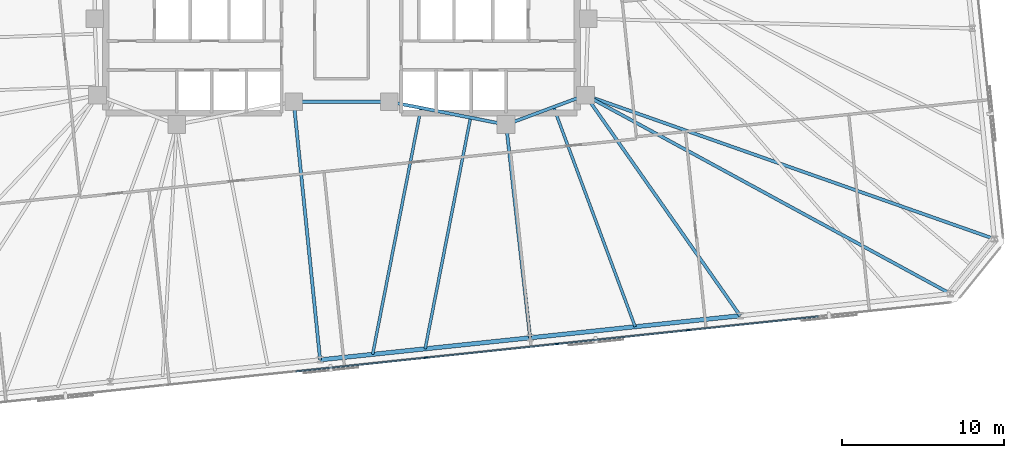
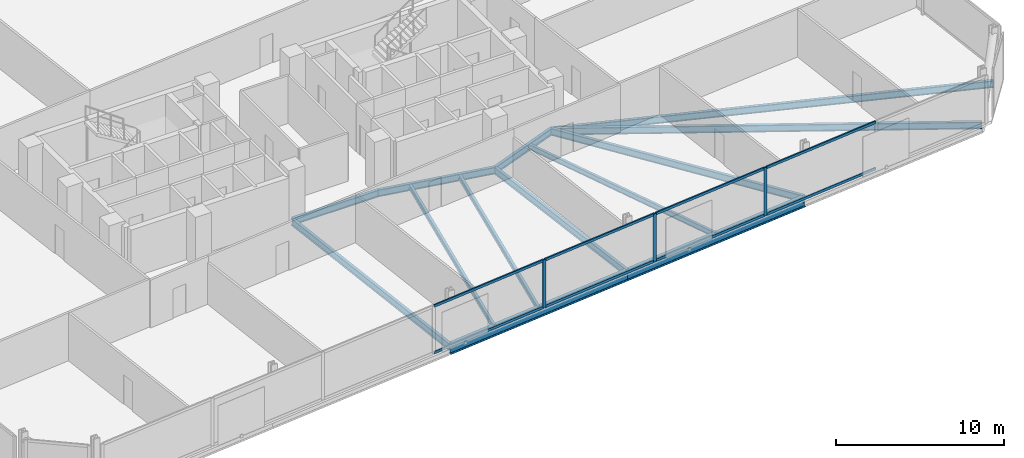
# One storey, part 7 of 18: 13 beams, 11 members, 1 element without a shape of its own.
"""IFC4 building model written with IfcOpenShell, lengths in metres."""

from ifc_helpers import new_model, si_unit, direction, frame, origin, origin_2d, place, context, subcontext, project, spatial, rectangle, i_section, extrude, material, material_profile, profile_set, type_object, element, aggregate, save


model = new_model("IFC4")

# Units and contexts
model_context = context("Model", 3, precision=1e-05, world=origin(), true_north=direction((0.0, 1.0)))
body_context = subcontext(model_context, "Body", "Model", "MODEL_VIEW")
ifc_project = project(units=[si_unit("LENGTHUNIT", "METRE"), si_unit("AREAUNIT", "SQUARE_METRE"), si_unit("VOLUMEUNIT", "CUBIC_METRE"), si_unit("PLANEANGLEUNIT", "RADIAN"), si_unit("MASSUNIT", "GRAM", prefix="KILO")], contexts=[model_context])

# Site, building, storey
site_placement = place(None, origin())
site = spatial("IfcSite", under=ifc_project, at=site_placement, CompositionType="ELEMENT")
building_placement = place(site_placement, origin())
building = spatial("IfcBuilding", under=site, at=building_placement, Name="Menara Jurai Vektor", CompositionType="ELEMENT")
storey_placement = place(building_placement, frame((0.0, 0.0, 124.39990234375)))
storey = spatial("IfcBuildingStorey", under=building, at=storey_placement, Name="L31", CompositionType="ELEMENT", Elevation=124.39990234375)

# Curtain wall, members
ifc_material_1 = material(Name="Anodised Pale Aluminium & Low-E Double Glazing", Category="aluminium")
curtain_wall_type = type_object("IfcCurtainWallType", Name="CW-BLK2", PredefinedType="NOTDEFINED", material=ifc_material_1)
curtain_wall_placement = place(storey_placement, origin())
curtain_wall = element("IfcCurtainWall", 1, at=curtain_wall_placement, inside=storey, type_object=curtain_wall_type, Name="Unitised Curtain Wall L31 F01", PredefinedType="NOTDEFINED")
ifc_material_2 = material(Name="Anodised Pale Aluminium Mullion", Category="aluminium")
ifc_material_profile_1 = material_profile(ifc_material_2, rectangle(XDim=0.090087890625, YDim=0.219970703125, at=origin_2d()), Name="ALU MUL 90x220")
ifc_profile_set_1 = profile_set([ifc_material_profile_1], Name="Anodised Pale Aluminium Mullion")
member_type_1 = type_object("IfcMemberType", Name="CW-BLK2-MUL", PredefinedType="MULLION", material=ifc_profile_set_1)
member_1_placement = place(storey_placement, frame((5.230224609375, -20.72265625, 0.0), z_axis=(0.0, 0.0, 1.0), x_axis=(-0.104528634935, 0.994521877325, 0.0)))
member_1 = element("IfcMember", 2, at=member_1_placement, type_object=member_type_1, Name="CW-02 mullion 5", PredefinedType="MULLION", context=body_context, shape_type="SweptSolid", body=[
    extrude(rectangle(XDim=0.090087890625, YDim=0.219970703125, at=origin_2d()), origin(), (0.0, 0.0, 1.0), 3.47509765625),
])
member_2_placement = place(storey_placement, frame((13.328125, -19.87158203125, 0.0), z_axis=(0.0, 0.0, 1.0), x_axis=(-0.104528634935, 0.994521877325, 0.0)))
member_2 = element("IfcMember", 3, at=member_2_placement, type_object=member_type_1, Name="CW-02 mullion 6", PredefinedType="MULLION", context=body_context, shape_type="SweptSolid", body=[
    extrude(rectangle(XDim=0.090087890625, YDim=0.219970703125, at=origin_2d()), origin(), (0.0, 0.0, 1.0), 3.47509765625),
])
member_3_placement = place(storey_placement, frame((21.426025390625, -19.020263671875, 0.0), z_axis=(0.0, 0.0, 1.0), x_axis=(-0.104528634935, 0.994521877325, 0.0)))
member_3 = element("IfcMember", 4, at=member_3_placement, type_object=member_type_1, Name="CW-02 mullion 7", PredefinedType="MULLION", context=body_context, shape_type="SweptSolid", body=[
    extrude(rectangle(XDim=0.090087890625, YDim=0.219970703125, at=origin_2d()), origin(), (0.0, 0.0, 1.0), 3.47509765625),
])
ifc_material_3 = material(Name="Anodised Pale Aluminium Transom", Category="aluminium")
ifc_material_profile_2 = material_profile(ifc_material_3, rectangle(XDim=0.090087890625, YDim=0.18505859375, at=origin_2d()), Name="ALU TRN 90x185")
ifc_profile_set_2 = profile_set([ifc_material_profile_2], Name="Anodised Pale Aluminium Transom")
member_type_2 = type_object("IfcMemberType", Name="CW-BLK2-TRN", PredefinedType="USERDEFINED", material=ifc_profile_set_2)
member_4_placement = place(storey_placement, frame((-2.82275390625, -21.569091796875, 0.045166015625), z_axis=(0.994520726373, 0.10453958492, 0.0), x_axis=(-0.10453958492, 0.994520726373, 0.0)))
member_4 = element("IfcMember", 5, at=member_4_placement, type_object=member_type_2, Name="CW-02 transom 4.1", ObjectType="TRANSOM", PredefinedType="USERDEFINED", context=body_context, shape_type="SweptSolid", body=[
    extrude(rectangle(XDim=0.090087890625, YDim=0.18505859375, at=origin_2d()), origin(), (0.0, 0.0, 1.0), 8.052490234375),
])
member_5_placement = place(storey_placement, frame((-2.82275390625, -21.569091796875, 3.43017578125), z_axis=(0.994520726373, 0.10453958492, 0.0), x_axis=(-0.10453958492, 0.994520726373, 0.0)))
member_5 = element("IfcMember", 6, at=member_5_placement, type_object=member_type_2, Name="CW-02 transom 4.2", ObjectType="TRANSOM", PredefinedType="USERDEFINED", context=body_context, shape_type="SweptSolid", body=[
    extrude(rectangle(XDim=0.090087890625, YDim=0.18505859375, at=origin_2d()), origin(), (0.0, 0.0, 1.0), 8.052490234375),
])
member_6_placement = place(storey_placement, frame((5.275146484375, -20.718017578125, 0.045166015625), z_axis=(0.994520726373, 0.10453958492, 0.0), x_axis=(-0.10453958492, 0.994520726373, 0.0)))
member_6 = element("IfcMember", 7, at=member_6_placement, type_object=member_type_2, Name="CW-02 transom 5.1", ObjectType="TRANSOM", PredefinedType="USERDEFINED", context=body_context, shape_type="SweptSolid", body=[
    extrude(rectangle(XDim=0.090087890625, YDim=0.18505859375, at=origin_2d()), origin(), (0.0, 0.0, 1.0), 8.052490234375),
])
member_7_placement = place(storey_placement, frame((5.275146484375, -20.718017578125, 3.43017578125), z_axis=(0.994520726373, 0.10453958492, 0.0), x_axis=(-0.10453958492, 0.994520726373, 0.0)))
member_7 = element("IfcMember", 8, at=member_7_placement, type_object=member_type_2, Name="CW-02 transom 5.2", ObjectType="TRANSOM", PredefinedType="USERDEFINED", context=body_context, shape_type="SweptSolid", body=[
    extrude(rectangle(XDim=0.090087890625, YDim=0.18505859375, at=origin_2d()), origin(), (0.0, 0.0, 1.0), 8.052490234375),
])
member_8_placement = place(storey_placement, frame((13.373046875, -19.86669921875, 0.045166015625), z_axis=(0.99452387809, 0.104509597213, 0.0), x_axis=(-0.104509597213, 0.99452387809, 0.0)))
member_8 = element("IfcMember", 9, at=member_8_placement, type_object=member_type_2, Name="CW-02 transom 6.1", ObjectType="TRANSOM", PredefinedType="USERDEFINED", context=body_context, shape_type="SweptSolid", body=[
    extrude(rectangle(XDim=0.090087890625, YDim=0.18505859375, at=origin_2d()), origin(), (0.0, 0.0, 1.0), 8.052490234375),
])
member_9_placement = place(storey_placement, frame((13.373046875, -19.86669921875, 3.43017578125), z_axis=(0.99452387809, 0.104509597213, 0.0), x_axis=(-0.104509597213, 0.99452387809, 0.0)))
member_9 = element("IfcMember", 10, at=member_9_placement, type_object=member_type_2, Name="CW-02 transom 6.2", ObjectType="TRANSOM", PredefinedType="USERDEFINED", context=body_context, shape_type="SweptSolid", body=[
    extrude(rectangle(XDim=0.090087890625, YDim=0.18505859375, at=origin_2d()), origin(), (0.0, 0.0, 1.0), 8.052490234375),
])
member_10_placement = place(storey_placement, frame((21.470947265625, -19.015625, 0.045166015625), z_axis=(0.994520726373, 0.10453958492, 0.0), x_axis=(-0.10453958492, 0.994520726373, 0.0)))
member_10 = element("IfcMember", 11, at=member_10_placement, type_object=member_type_2, Name="CW-02 transom 7.1", ObjectType="TRANSOM", PredefinedType="USERDEFINED", context=body_context, shape_type="SweptSolid", body=[
    extrude(rectangle(XDim=0.090087890625, YDim=0.18505859375, at=origin_2d()), origin(), (0.0, 0.0, 1.0), 8.052490234375),
])
member_11_placement = place(storey_placement, frame((21.470947265625, -19.015625, 3.43017578125), z_axis=(0.994520726373, 0.10453958492, 0.0), x_axis=(-0.10453958492, 0.994520726373, 0.0)))
member_11 = element("IfcMember", 12, at=member_11_placement, type_object=member_type_2, Name="CW-02 transom 7.2", ObjectType="TRANSOM", PredefinedType="USERDEFINED", context=body_context, shape_type="SweptSolid", body=[
    extrude(rectangle(XDim=0.090087890625, YDim=0.18505859375, at=origin_2d()), origin(), (0.0, 0.0, 1.0), 8.052490234375),
])
aggregate(curtain_wall, [member_1, member_2, member_3, member_4, member_5, member_6, member_7, member_8, member_9, member_10, member_11])

# Beams
ifc_material_4 = material(Name="Steel S355", Category="steel")
ifc_material_profile_3 = material_profile(ifc_material_4, i_section(OverallWidth=0.199951171875, OverallDepth=0.5, WebThickness=0.011962890625, FlangeThickness=0.02001953125, at=origin_2d()), Name="PG 500x200x96")
ifc_profile_set_3 = profile_set([ifc_material_profile_3], Name="Steel S355")
beam_type_1 = type_object("IfcBeamType", Name="STR-BM-500", PredefinedType="BEAM", material=ifc_profile_set_3)
beam_1_placement = place(storey_placement, frame((10.179931640625, -6.320068359375, -0.474853515625), z_axis=(0.937424400887, 0.348188874925, 0.0), x_axis=(-0.348188874925, 0.937424400887, 0.0)))
element("IfcBeam", 13, at=beam_1_placement, inside=storey, type_object=beam_type_1, Name="Core Ring Header Girder L31-CHE-S1", PredefinedType="BEAM", context=body_context, shape_type="SweptSolid", body=[
    extrude(i_section(OverallWidth=0.199951171875, OverallDepth=0.5, WebThickness=0.011962890625, FlangeThickness=0.02001953125, at=origin_2d()), origin(), (0.0, 0.0, 1.0), 5.227294921875),
])
beam_2_placement = place(storey_placement, frame((2.949951171875, -4.89990234375, -0.474853515625), z_axis=(0.981249044334, -0.192744164614, 0.0), x_axis=(0.192744164614, 0.981249044334, 0.0)))
element("IfcBeam", 14, at=beam_2_placement, inside=storey, type_object=beam_type_1, Name="Core Ring Header Girder L31-CHE-S2", PredefinedType="BEAM", context=body_context, shape_type="SweptSolid", body=[
    extrude(i_section(OverallWidth=0.199951171875, OverallDepth=0.5, WebThickness=0.011962890625, FlangeThickness=0.02001953125, at=origin_2d()), origin(), (0.0, 0.0, 1.0), 7.3681640625),
])
beam_3_placement = place(storey_placement, frame((-2.949951171875, -4.89990234375, -0.474853515625), z_axis=(1.0, 0.0, 0.0), x_axis=(0.0, 1.0, 0.0)))
element("IfcBeam", 15, at=beam_3_placement, inside=storey, type_object=beam_type_1, Name="Core Ring Header Girder L31-CC-1", PredefinedType="BEAM", context=body_context, shape_type="SweptSolid", body=[
    extrude(i_section(OverallWidth=0.199951171875, OverallDepth=0.5, WebThickness=0.011962890625, FlangeThickness=0.02001953125, at=origin_2d()), origin(), (0.0, 0.0, 1.0), 5.89990234375),
])
beam_4_placement = place(storey_placement, frame((-1.31689453125, -20.85791015625, -0.474853515625), z_axis=(-0.101802947506, 0.994804583765, 0.0), x_axis=(-0.994804583765, -0.101802947506, 0.0)))
element("IfcBeam", 16, at=beam_4_placement, inside=storey, type_object=beam_type_1, Name="Radial Floor Girder L31-S3", PredefinedType="BEAM", context=body_context, shape_type="SweptSolid", body=[
    extrude(i_section(OverallWidth=0.199951171875, OverallDepth=0.5, WebThickness=0.011962890625, FlangeThickness=0.02001953125, at=origin_2d()), origin(), (0.0, 0.0, 1.0), 16.041259765625),
])
beam_5_placement = place(storey_placement, frame((11.66259765625, -19.493408203125, -0.474853515625), z_axis=(-0.111844331087, 0.99372573963, 0.0), x_axis=(-0.99372573963, -0.111844331087, 0.0)))
element("IfcBeam", 17, at=beam_5_placement, inside=storey, type_object=beam_type_1, Name="Radial Floor Girder L31-S4", PredefinedType="BEAM", context=body_context, shape_type="SweptSolid", body=[
    extrude(i_section(OverallWidth=0.199951171875, OverallDepth=0.5, WebThickness=0.011962890625, FlangeThickness=0.02001953125, at=origin_2d()), origin(), (0.0, 0.0, 1.0), 13.256591796875),
])
beam_6_placement = place(storey_placement, frame((24.64208984375, -18.12939453125, -0.474853515625), z_axis=(-0.574326112611, 0.818626603754, 0.0), x_axis=(-0.818626603754, -0.574326112611, 0.0)))
element("IfcBeam", 18, at=beam_6_placement, inside=storey, type_object=beam_type_1, Name="Radial Floor Girder L31-S5", PredefinedType="BEAM", context=body_context, shape_type="SweptSolid", body=[
    extrude(i_section(OverallWidth=0.199951171875, OverallDepth=0.5, WebThickness=0.011962890625, FlangeThickness=0.02001953125, at=origin_2d()), origin(), (0.0, 0.0, 1.0), 16.649169921875),
])
beam_7_placement = place(storey_placement, frame((37.621826171875, -16.76513671875, -0.474853515625), z_axis=(-0.878392468416, 0.477940029115, 0.0), x_axis=(-0.477940029115, -0.878392468416, 0.0)))
element("IfcBeam", 19, at=beam_7_placement, inside=storey, type_object=beam_type_1, Name="Radial Floor Girder L31-S6", PredefinedType="BEAM", context=body_context, shape_type="SweptSolid", body=[
    extrude(i_section(OverallWidth=0.199951171875, OverallDepth=0.5, WebThickness=0.011962890625, FlangeThickness=0.02001953125, at=origin_2d()), origin(), (0.0, 0.0, 1.0), 25.66259765625),
])
beam_8_placement = place(storey_placement, frame((40.356201171875, -13.388671875, -0.474853515625), z_axis=(-0.943368219745, 0.331747497315, 0.0), x_axis=(-0.331747497315, -0.943368219745, 0.0)))
element("IfcBeam", 20, at=beam_8_placement, inside=storey, type_object=beam_type_1, Name="Radial Floor Girder L31-E1", PredefinedType="BEAM", context=body_context, shape_type="SweptSolid", body=[
    extrude(i_section(OverallWidth=0.199951171875, OverallDepth=0.5, WebThickness=0.011962890625, FlangeThickness=0.02001953125, at=origin_2d()), origin(), (0.0, 0.0, 1.0), 26.79345703125),
])
ifc_material_profile_4 = material_profile(ifc_material_4, i_section(OverallWidth=0.175048828125, OverallDepth=0.3798828125, WebThickness=0.010009765625, FlangeThickness=0.014892578125, at=origin_2d()), Name="PG 380x175x58")
ifc_profile_set_4 = profile_set([ifc_material_profile_4], Name="Steel S355")
beam_type_2 = type_object("IfcBeamType", Name="STR-JS-380", PredefinedType="JOIST", material=ifc_profile_set_4)
beam_9_placement = place(storey_placement, frame((1.927978515625, -20.5166015625, -0.414794921875), z_axis=(0.192720963177, 0.981253601447, 0.0), x_axis=(-0.981253601447, 0.192720963177, 0.0)))
element("IfcBeam", 21, at=beam_9_placement, inside=storey, type_object=beam_type_2, Name="Radial Secondary Floor Joist L31-JS06", PredefinedType="JOIST", context=body_context, shape_type="SweptSolid", body=[
    extrude(i_section(OverallWidth=0.175048828125, OverallDepth=0.3798828125, WebThickness=0.010009765625, FlangeThickness=0.014892578125, at=origin_2d()), origin(), (0.0, 0.0, 1.0), 15.52099609375),
])
beam_10_placement = place(storey_placement, frame((5.1728515625, -20.175537109375, -0.414794921875), z_axis=(0.192719646422, 0.98125386006, 0.0), x_axis=(-0.98125386006, 0.192719646422, 0.0)))
element("IfcBeam", 22, at=beam_10_placement, inside=storey, type_object=beam_type_2, Name="Radial Secondary Floor Joist L31-JS07", PredefinedType="JOIST", context=body_context, shape_type="SweptSolid", body=[
    extrude(i_section(OverallWidth=0.175048828125, OverallDepth=0.3798828125, WebThickness=0.010009765625, FlangeThickness=0.014892578125, at=origin_2d()), origin(), (0.0, 0.0, 1.0), 14.560791015625),
])
beam_11_placement = place(storey_placement, frame((18.15234375, -18.811279296875, -0.414794921875), z_axis=(-0.348188645432, 0.937424486128, 0.0), x_axis=(-0.937424486128, -0.348188645432, 0.0)))
element("IfcBeam", 23, at=beam_11_placement, inside=storey, type_object=beam_type_2, Name="Radial Secondary Floor Joist L31-JS08", PredefinedType="JOIST", context=body_context, shape_type="SweptSolid", body=[
    extrude(i_section(OverallWidth=0.175048828125, OverallDepth=0.3798828125, WebThickness=0.010009765625, FlangeThickness=0.014892578125, at=origin_2d()), origin(), (0.0, 0.0, 1.0), 14.485595703125),
])
ifc_material_5 = material(Name="Steel S460", Category="steel")
ifc_material_profile_5 = material_profile(ifc_material_5, i_section(OverallWidth=0.26806640625, OverallDepth=0.77001953125, WebThickness=0.01611328125, FlangeThickness=0.02490234375, FilletRadius=0.01708984375, at=origin_2d()), Name="UKB 762x267x197")
ifc_profile_set_5 = profile_set([ifc_material_profile_5], Name="Steel S460")
beam_type_3 = type_object("IfcBeamType", Name="STR-SP-762", PredefinedType="SPANDREL", material=ifc_profile_set_5)
for number, where, z_axis, x_axis, name in (
    (24, (-1.31689453125, -20.85791015625, -0.60986328125), (0.994519486762, 0.104551377088, 0.0), (-0.104551377088, 0.994519486762, 0.0), "Exoskeleton Spandrel Beam L31-03"),
    (25, (11.66259765625, -19.493408203125, -0.60986328125), (0.99452337626, 0.104514372567, 0.0), (-0.104514372567, 0.99452337626, 0.0), "Exoskeleton Spandrel Beam L31-04"),
):
    element("IfcBeam", number, at=place(storey_placement, frame(where, z_axis=z_axis, x_axis=x_axis)), inside=storey, type_object=beam_type_3, Name=name, PredefinedType="SPANDREL", context=body_context, shape_type="SweptSolid", body=[
        extrude(i_section(OverallWidth=0.26806640625, OverallDepth=0.77001953125, WebThickness=0.01611328125, FlangeThickness=0.02490234375, FilletRadius=0.01708984375, at=origin_2d()), origin(), (0.0, 0.0, 1.0), 13.051025390625),
    ])

save(model, "model.ifc")
